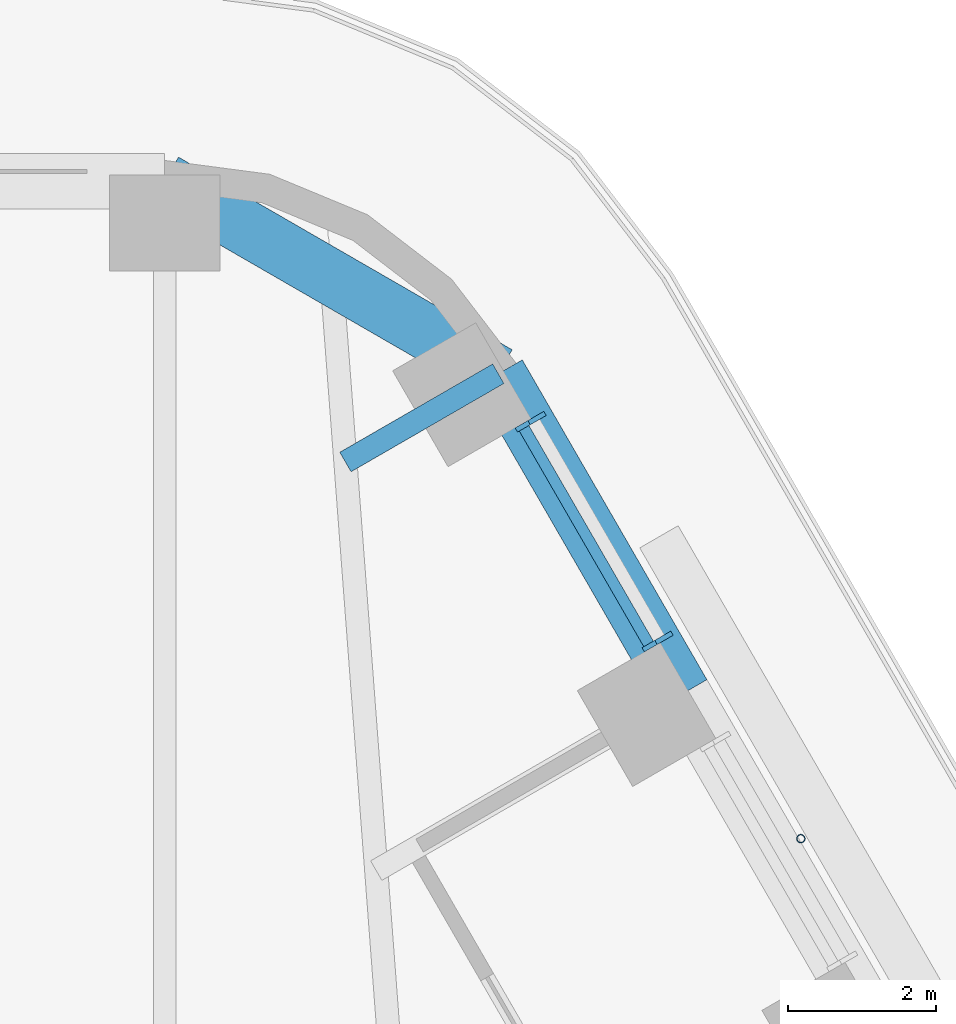
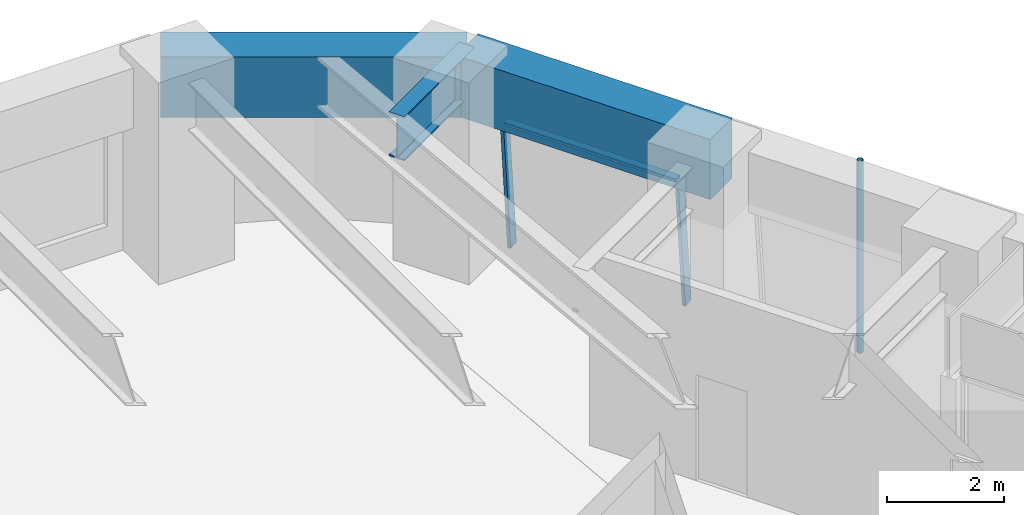
# One storey, part 13 of 24: 4 members, 3 beams, 1 element without a shape of its own.
"""IFC4 building model written with IfcOpenShell, lengths in metres."""

from ifc_helpers import new_model, si_unit, direction, frame, origin, origin_2d, place, context, subcontext, project, spatial, rectangle, hollow_circle, i_section, extrude, material, material_profile, profile_set, type_object, element, aggregate, save


model = new_model("IFC4")

# Units and contexts
model_context = context("Model", 3, precision=1e-05, world=origin(), true_north=direction((0.0, 1.0)))
body_context = subcontext(model_context, "Body", "Model", "MODEL_VIEW")
ifc_project = project(units=[si_unit("LENGTHUNIT", "METRE"), si_unit("AREAUNIT", "SQUARE_METRE"), si_unit("VOLUMEUNIT", "CUBIC_METRE"), si_unit("PLANEANGLEUNIT", "RADIAN"), si_unit("MASSUNIT", "GRAM", prefix="KILO")], contexts=[model_context])

# Site, building, storey
site_placement = place(None, origin())
site = spatial("IfcSite", under=ifc_project, at=site_placement, CompositionType="ELEMENT")
building_placement = place(site_placement, origin())
building = spatial("IfcBuilding", under=site, at=building_placement, Name="Tarfa Lantern Tower", CompositionType="ELEMENT")
storey_placement = place(building_placement, frame((0.0, 0.0, 195.10009765625)))
storey = spatial("IfcBuildingStorey", under=building, at=storey_placement, Name="L44", CompositionType="ELEMENT", Elevation=195.10009765625)

# Curtain wall, members
ifc_material_1 = material(Name="Aluminium framed curtain wall", Category="aluminium")
curtain_wall_type = type_object("IfcCurtainWallType", Name="CW2 CANTED GLAZING MID ZONE 2750", PredefinedType="USERDEFINED", material=ifc_material_1)
curtain_wall_placement = place(storey_placement, origin())
curtain_wall = element("IfcCurtainWall", 1, at=curtain_wall_placement, inside=storey, type_object=curtain_wall_type, Name="CW2 NEB L44", ObjectType="CURTAIN WALL", PredefinedType="USERDEFINED")
ifc_material_2 = material(Name="Aluminium mullion", Category="aluminium")
ifc_material_profile_1 = material_profile(ifc_material_2, rectangle(XDim=0.06494140625, YDim=0.199951171875, at=origin_2d()), Name="AL MULLION 65x200")
ifc_profile_set_1 = profile_set([ifc_material_profile_1], Name="Aluminium mullion")
member_type_1 = type_object("IfcMemberType", Name="CWM1 MULLION 65x200", PredefinedType="MULLION", material=ifc_profile_set_1)
member_1_placement = place(storey_placement, frame((21.79833984375, 25.04443359375, 0.0), z_axis=(-0.078422950161, -0.045267813396, 0.995891894715), x_axis=(0.499919672301, -0.866071776036, 0.0)))
member_1 = element("IfcMember", 2, at=member_1_placement, type_object=member_type_1, Name="CW2 mullion 1", PredefinedType="MULLION", context=body_context, shape_type="SweptSolid", body=[
    extrude(rectangle(XDim=0.06494140625, YDim=0.199951171875, at=origin_2d()), origin(), (0.0, 0.0, 1.0), 2.76123046875),
])
member_2_placement = place(storey_placement, frame((20.078857421875, 28.022216796875, 0.0), z_axis=(-0.078422950161, -0.045267813396, 0.995891894715), x_axis=(0.499919672301, -0.866071776036, 0.0)))
member_2 = element("IfcMember", 3, at=member_2_placement, type_object=member_type_1, Name="CW2 mullion 2", PredefinedType="MULLION", context=body_context, shape_type="SweptSolid", body=[
    extrude(rectangle(XDim=0.06494140625, YDim=0.199951171875, at=origin_2d()), origin(), (0.0, 0.0, 1.0), 2.76123046875),
])
ifc_material_3 = material(Name="Aluminium transom", Category="aluminium")
ifc_material_profile_2 = material_profile(ifc_material_3, rectangle(XDim=0.14990234375, YDim=0.06494140625, at=origin_2d()), Name="AL TRANSOM 150x65")
ifc_profile_set_2 = profile_set([ifc_material_profile_2], Name="Aluminium transom")
member_type_2 = type_object("IfcMemberType", Name="CWT1 TRANSOM 150x65", PredefinedType="USERDEFINED", material=ifc_profile_set_2)
member_3_placement = place(storey_placement, frame((21.568115234375, 24.948974609375, 2.71728515625), z_axis=(-0.500046095904, 0.865998788666, 0.0), x_axis=(-0.865998788666, -0.500046095904, 0.0)))
member_3 = element("IfcMember", 4, at=member_3_placement, type_object=member_type_2, Name="CW2 transom 1.2", ObjectType="TRANSOM", PredefinedType="USERDEFINED", context=body_context, shape_type="SweptSolid", body=[
    extrude(rectangle(XDim=0.14990234375, YDim=0.06494140625, at=origin_2d()), origin(), (0.0, 0.0, 1.0), 3.373779296875),
])
aggregate(curtain_wall, [member_1, member_2, member_3])

# Beams
ifc_material_4 = material(Name="Concrete C80/95", Category="concrete")
ifc_material_profile_3 = material_profile(ifc_material_4, rectangle(XDim=0.75, YDim=1.25, at=origin_2d()), Name="RC 750x1250")
ifc_profile_set_3 = profile_set([ifc_material_profile_3], Name="Concrete C80/95")
beam_type_1 = type_object("IfcBeamType", Name="EB2 RC 750x1250", PredefinedType="SPANDREL", material=ifc_profile_set_3)
beam_1_placement = place(storey_placement, frame((22.03369140625, 24.276611328125, 3.375), z_axis=(-0.500001197378, 0.866024712477, 0.0), x_axis=(-0.866024712477, -0.500001197378, 0.0)))
element("IfcBeam", 5, at=beam_1_placement, inside=storey, type_object=beam_type_1, Name="Edge beam NE5", PredefinedType="SPANDREL", context=body_context, shape_type="SweptSolid", body=[
    extrude(rectangle(XDim=0.75, YDim=1.25, at=origin_2d()), origin(), (0.0, 0.0, 1.0), 5.00390625),
])
beam_2_placement = place(storey_placement, frame((19.53173828125, 28.610107421875, 3.375), z_axis=(-0.86604150238, 0.499972115377, 0.0), x_axis=(-0.499972115377, -0.86604150238, 0.0)))
element("IfcBeam", 6, at=beam_2_placement, inside=storey, type_object=beam_type_1, Name="Edge beam NE6", PredefinedType="SPANDREL", context=body_context, shape_type="SweptSolid", body=[
    extrude(rectangle(XDim=0.75, YDim=1.25, at=origin_2d()), origin(), (0.0, 0.0, 1.0), 5.219970703125),
])

# Member
ifc_material_5 = material(Name="Steel S355", Category="steel")
ifc_material_profile_4 = material_profile(ifc_material_5, hollow_circle(Radius=0.05712890625, WallThickness=0.00634765625, at=origin_2d()), Name="CHS114.3x6.3")
ifc_profile_set_4 = profile_set([ifc_material_profile_4], Name="Steel S355")
member_type_3 = type_object("IfcMemberType", Name="TR1 GREEN WALL TRELLIS CHS114.3x6.3", PredefinedType="USERDEFINED", material=ifc_profile_set_4)
member_4_placement = place(storey_placement, frame((23.630859375, 22.31005859375, 0.0), z_axis=(0.0, 0.0, 1.0), x_axis=(1.0, 0.0, 0.0)))
element("IfcMember", 7, at=member_4_placement, inside=storey, type_object=member_type_3, Name="Trellis post NE 2", ObjectType="TRELLIS", PredefinedType="USERDEFINED", context=body_context, shape_type="SweptSolid", body=[
    extrude(hollow_circle(Radius=0.05712890625, WallThickness=0.00634765625, at=origin_2d()), origin(), (0.0, 0.0, 1.0), 4.0),
])

# Beam
ifc_material_6 = material(Name="Steel S460M", Category="steel")
ifc_material_profile_5 = material_profile(ifc_material_6, i_section(OverallWidth=0.305419921875, OverallDepth=0.91845703125, WebThickness=0.017333984375, FlangeThickness=0.02783203125, FilletRadius=0.01904296875, at=origin_2d()), Name="UB914x305x253")
ifc_profile_set_5 = profile_set([ifc_material_profile_5], Name="Steel S460M")
beam_type_2 = type_object("IfcBeamType", Name="UB914x305x253", PredefinedType="BEAM", material=ifc_profile_set_5)
beam_3_placement = place(storey_placement, frame((19.53173828125, 28.610107421875, 3.540771484375), z_axis=(-0.865998640954, -0.500046351717, 0.0), x_axis=(0.500046351717, -0.865998640954, 0.0)))
element("IfcBeam", 8, at=beam_3_placement, inside=storey, type_object=beam_type_2, Name="Floor beam NE6", PredefinedType="BEAM", context=body_context, shape_type="SweptSolid", body=[
    extrude(i_section(OverallWidth=0.305419921875, OverallDepth=0.91845703125, WebThickness=0.017333984375, FlangeThickness=0.02783203125, FilletRadius=0.01904296875, at=origin_2d()), origin(), (0.0, 0.0, 1.0), 2.392333984375),
])

save(model, "model.ifc")
